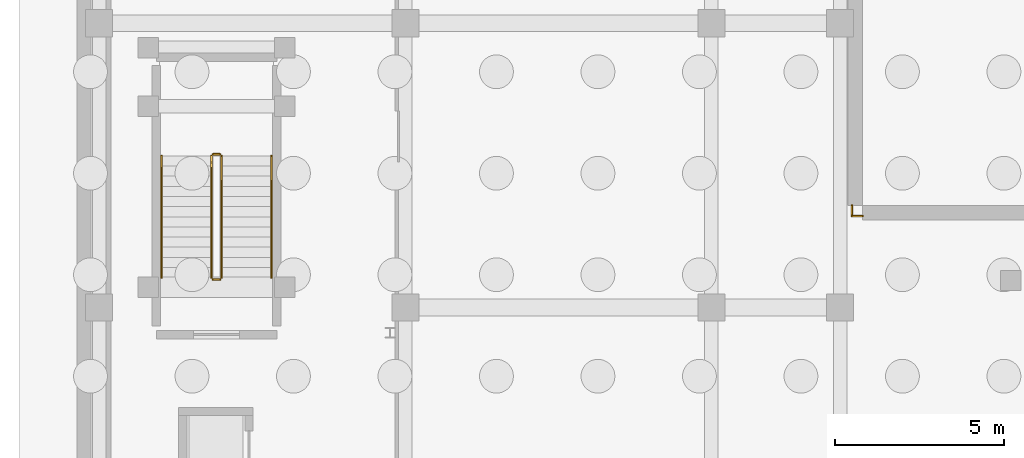
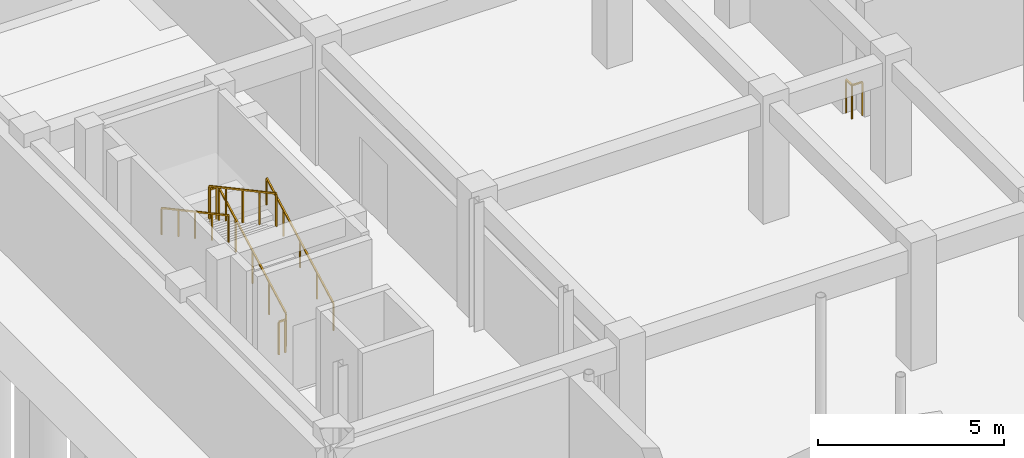
# One storey, part 31 of 33: 8 railings.
"""IFC4 building model written with IfcOpenShell, lengths in metres."""

from ifc_helpers import new_model, si_unit, direction, frame, origin, origin_2d, place, context, subcontext, project, spatial, rectangle, extrude, material, layer, layer_set, type_object, element, save


model = new_model("IFC4")

# Units and contexts
model_context = context("Model", 3, precision=1e-05, world=origin(), true_north=direction((0.0, 1.0)))
body_context = subcontext(model_context, "Body", "Model", "MODEL_VIEW")
ifc_project = project(units=[si_unit("LENGTHUNIT", "METRE"), si_unit("AREAUNIT", "SQUARE_METRE"), si_unit("VOLUMEUNIT", "CUBIC_METRE"), si_unit("PLANEANGLEUNIT", "RADIAN"), si_unit("MASSUNIT", "GRAM", prefix="KILO")], contexts=[model_context])

# Site, building, storey
site_placement = place(None, origin())
site = spatial("IfcSite", under=ifc_project, at=site_placement, CompositionType="ELEMENT")
building_placement = place(site_placement, origin())
building = spatial("IfcBuilding", under=site, at=building_placement, Name="Saryqyr Civic Hall", CompositionType="ELEMENT")
storey_placement = place(building_placement, frame((0.0, 0.0, -4.199951171875)))
storey = spatial("IfcBuildingStorey", under=building, at=storey_placement, Name="B1", CompositionType="ELEMENT", Elevation=-4.199951171875)

# Railings
ifc_material_1 = material(Name="Warm brushed brass and laminated glass", Category="glass")
ifc_layer_1 = layer(ifc_material_1, 0.06005859375, Name="Warm brushed brass and laminated glass")
ifc_layer_set_1 = layer_set([ifc_layer_1], Name="Warm brushed brass and laminated glass")
railing_type_1 = type_object("IfcRailingType", Name="INT-RLG-BAL-1100", PredefinedType="BALUSTRADE", material=ifc_layer_set_1)
railing_1_placement = place(storey_placement, frame((11.669921875, 110.080078125, 0.161376953125)))
element("IfcRailing", 1, at=railing_1_placement, inside=storey, type_object=railing_type_1, Name="B1 ST-3 stair guard 1", PredefinedType="BALUSTRADE", context=body_context, shape_type="SweptSolid", body=[
    extrude(rectangle(XDim=0.048095703125, YDim=0.048095703125, at=origin_2d()), frame((0.0, 0.0, 1.076171875), z_axis=(0.0, 0.880461512865, 0.474117627138), x_axis=(-1.0, 0.0, 0.0)), (0.0, 0.0, 1.0), 4.088623046875),
    extrude(rectangle(XDim=0.0419921875, YDim=0.0419921875, at=origin_2d()), origin(), (0.0, 0.0, 1.0), 1.052001953125),
    extrude(rectangle(XDim=0.0419921875, YDim=0.0419921875, at=origin_2d()), frame((0.0, 0.89990234375, 0.484619140625)), (0.0, 0.0, 1.0), 1.052001953125),
    extrude(rectangle(XDim=0.0419921875, YDim=0.0419921875, at=origin_2d()), frame((0.0, 1.7998046875, 0.96923828125)), (0.0, 0.0, 1.0), 1.052001953125),
    extrude(rectangle(XDim=0.0419921875, YDim=0.0419921875, at=origin_2d()), frame((0.0, 2.699951171875, 1.453857421875)), (0.0, 0.0, 1.0), 1.052001953125),
    extrude(rectangle(XDim=0.0419921875, YDim=0.0419921875, at=origin_2d()), frame((0.0, 3.599853515625, 1.9384765625)), (0.0, 0.0, 1.0), 1.052001953125),
])
railing_2_placement = place(storey_placement, frame((11.6201171875, 113.72998046875, 2.099853515625)))
element("IfcRailing", 2, at=railing_2_placement, inside=storey, type_object=railing_type_1, Name="B1 ST-3 stair guard 2", PredefinedType="BALUSTRADE", context=body_context, shape_type="SweptSolid", body=[
    extrude(rectangle(XDim=0.048095703125, YDim=0.048095703125, at=origin_2d()), frame((0.0, 0.0, 1.076171875), z_axis=(-1.0, 0.0, 0.0), x_axis=(0.0, -1.0, 0.0)), (0.0, 0.0, 1.0), 0.2001953125),
    extrude(rectangle(XDim=0.0419921875, YDim=0.0419921875, at=origin_2d()), origin(), (0.0, 0.0, 1.0), 1.052001953125),
    extrude(rectangle(XDim=0.0419921875, YDim=0.0419921875, at=origin_2d()), frame((-0.2001953125, 0.0, 0.0)), (0.0, 0.0, 1.0), 1.052001953125),
])
railing_3_placement = place(storey_placement, frame((11.3701171875, 113.679931640625, 2.261474609375)))
element("IfcRailing", 3, at=railing_3_placement, inside=storey, type_object=railing_type_1, Name="B1 ST-3 stair guard 3", PredefinedType="BALUSTRADE", context=body_context, shape_type="SweptSolid", body=[
    extrude(rectangle(XDim=0.048095703125, YDim=0.048095703125, at=origin_2d()), frame((0.0, 0.0, 1.076171875), z_axis=(0.0, -0.880461512865, 0.474117627138), x_axis=(1.0, 0.0, 0.0)), (0.0, 0.0, 1.0), 4.088623046875),
    extrude(rectangle(XDim=0.0419921875, YDim=0.0419921875, at=origin_2d()), origin(), (0.0, 0.0, 1.0), 1.052001953125),
    extrude(rectangle(XDim=0.0419921875, YDim=0.0419921875, at=origin_2d()), frame((0.0, -0.89990234375, 0.484619140625)), (0.0, 0.0, 1.0), 1.052001953125),
    extrude(rectangle(XDim=0.0419921875, YDim=0.0419921875, at=origin_2d()), frame((0.0, -1.7998046875, 0.96923828125)), (0.0, 0.0, 1.0), 1.052001953125),
    extrude(rectangle(XDim=0.0419921875, YDim=0.0419921875, at=origin_2d()), frame((0.0, -2.699951171875, 1.453857421875)), (0.0, 0.0, 1.0), 1.052001953125),
    extrude(rectangle(XDim=0.0419921875, YDim=0.0419921875, at=origin_2d()), frame((0.0, -3.599853515625, 1.9384765625)), (0.0, 0.0, 1.0), 1.052001953125),
])
railing_4_placement = place(storey_placement, frame((11.6201171875, 110.030029296875, 0.0)))
element("IfcRailing", 4, at=railing_4_placement, inside=storey, type_object=railing_type_1, Name="B1 ST-3 stair guard 4", PredefinedType="BALUSTRADE", context=body_context, shape_type="SweptSolid", body=[
    extrude(rectangle(XDim=0.048095703125, YDim=0.048095703125, at=origin_2d()), frame((0.0, 0.0, 1.076171875), z_axis=(-1.0, 0.0, 0.0), x_axis=(0.0, -1.0, 0.0)), (0.0, 0.0, 1.0), 0.2001953125),
    extrude(rectangle(XDim=0.0419921875, YDim=0.0419921875, at=origin_2d()), origin(), (0.0, 0.0, 1.0), 1.052001953125),
    extrude(rectangle(XDim=0.0419921875, YDim=0.0419921875, at=origin_2d()), frame((-0.2001953125, 0.0, 0.0)), (0.0, 0.0, 1.0), 1.052001953125),
])
railing_5_placement = place(storey_placement, frame((30.300048828125, 112.219970703125, 0.0)))
element("IfcRailing", 5, at=railing_5_placement, inside=storey, type_object=railing_type_1, Name="Interior deck safety balustrade B1-001", PredefinedType="BALUSTRADE", context=body_context, shape_type="SweptSolid", body=[
    extrude(rectangle(XDim=0.048095703125, YDim=0.048095703125, at=origin_2d()), frame((0.0, 0.0, 1.09619140625), z_axis=(0.0, -1.0, 0.0), x_axis=(1.0, 0.0, 0.0)), (0.0, 0.0, 1.0), 0.320068359375),
    extrude(rectangle(XDim=0.0419921875, YDim=0.0419921875, at=origin_2d()), origin(), (0.0, 0.0, 1.0), 1.072021484375),
    extrude(rectangle(XDim=0.0419921875, YDim=0.0419921875, at=origin_2d()), frame((0.0, -0.320068359375, 0.0)), (0.0, 0.0, 1.0), 1.072021484375),
])
railing_6_placement = place(storey_placement, frame((30.300048828125, 111.89990234375, 0.0)))
element("IfcRailing", 6, at=railing_6_placement, inside=storey, type_object=railing_type_1, Name="Interior deck safety balustrade B1-002", PredefinedType="BALUSTRADE", context=body_context, shape_type="SweptSolid", body=[
    extrude(rectangle(XDim=0.048095703125, YDim=0.048095703125, at=origin_2d()), frame((0.0, 0.0, 1.09619140625), z_axis=(1.0, 0.0, 0.0), x_axis=(0.0, 1.0, 0.0)), (0.0, 0.0, 1.0), 0.320068359375),
    extrude(rectangle(XDim=0.0419921875, YDim=0.0419921875, at=origin_2d()), origin(), (0.0, 0.0, 1.0), 1.072021484375),
    extrude(rectangle(XDim=0.0419921875, YDim=0.0419921875, at=origin_2d()), frame((0.320068359375, 0.0, 0.0)), (0.0, 0.0, 1.0), 1.072021484375),
])
ifc_material_2 = material(Name="Stainless steel", Category="steel")
ifc_layer_2 = layer(ifc_material_2, 0.050048828125, Name="Stainless steel")
ifc_layer_set_2 = layer_set([ifc_layer_2], Name="Stainless steel")
railing_type_2 = type_object("IfcRailingType", Name="INT-RLG-HND-900", PredefinedType="HANDRAIL", material=ifc_layer_set_2)
railing_7_placement = place(storey_placement, frame((13.14990234375, 110.080078125, 0.161376953125)))
element("IfcRailing", 7, at=railing_7_placement, inside=storey, type_object=railing_type_2, Name="B1 ST-3 stair handrail 1", PredefinedType="HANDRAIL", context=body_context, shape_type="SweptSolid", body=[
    extrude(rectangle(XDim=0.048095703125, YDim=0.048095703125, at=origin_2d()), frame((0.0, 0.0, 0.8759765625), z_axis=(0.0, 0.880461512865, 0.474117627138), x_axis=(-1.0, 0.0, 0.0)), (0.0, 0.0, 1.0), 4.088623046875),
    extrude(rectangle(XDim=0.0419921875, YDim=0.0419921875, at=origin_2d()), origin(), (0.0, 0.0, 1.0), 0.851806640625),
    extrude(rectangle(XDim=0.0419921875, YDim=0.0419921875, at=origin_2d()), frame((0.0, 0.89990234375, 0.484619140625)), (0.0, 0.0, 1.0), 0.851806640625),
    extrude(rectangle(XDim=0.0419921875, YDim=0.0419921875, at=origin_2d()), frame((0.0, 1.7998046875, 0.96923828125)), (0.0, 0.0, 1.0), 0.851806640625),
    extrude(rectangle(XDim=0.0419921875, YDim=0.0419921875, at=origin_2d()), frame((0.0, 2.699951171875, 1.453857421875)), (0.0, 0.0, 1.0), 0.851806640625),
    extrude(rectangle(XDim=0.0419921875, YDim=0.0419921875, at=origin_2d()), frame((0.0, 3.599853515625, 1.9384765625)), (0.0, 0.0, 1.0), 0.851806640625),
])
railing_8_placement = place(storey_placement, frame((9.889892578125, 113.679931640625, 2.261474609375)))
element("IfcRailing", 8, at=railing_8_placement, inside=storey, type_object=railing_type_2, Name="B1 ST-3 stair handrail 2", PredefinedType="HANDRAIL", context=body_context, shape_type="SweptSolid", body=[
    extrude(rectangle(XDim=0.048095703125, YDim=0.048095703125, at=origin_2d()), frame((0.0, 0.0, 0.8759765625), z_axis=(0.0, -0.880461512865, 0.474117627138), x_axis=(1.0, 0.0, 0.0)), (0.0, 0.0, 1.0), 4.088623046875),
    extrude(rectangle(XDim=0.0419921875, YDim=0.0419921875, at=origin_2d()), origin(), (0.0, 0.0, 1.0), 0.851806640625),
    extrude(rectangle(XDim=0.0419921875, YDim=0.0419921875, at=origin_2d()), frame((0.0, -0.89990234375, 0.484619140625)), (0.0, 0.0, 1.0), 0.851806640625),
    extrude(rectangle(XDim=0.0419921875, YDim=0.0419921875, at=origin_2d()), frame((0.0, -1.7998046875, 0.96923828125)), (0.0, 0.0, 1.0), 0.851806640625),
    extrude(rectangle(XDim=0.0419921875, YDim=0.0419921875, at=origin_2d()), frame((0.0, -2.699951171875, 1.453857421875)), (0.0, 0.0, 1.0), 0.851806640625),
    extrude(rectangle(XDim=0.0419921875, YDim=0.0419921875, at=origin_2d()), frame((0.0, -3.599853515625, 1.9384765625)), (0.0, 0.0, 1.0), 0.851806640625),
])

save(model, "model.ifc")
